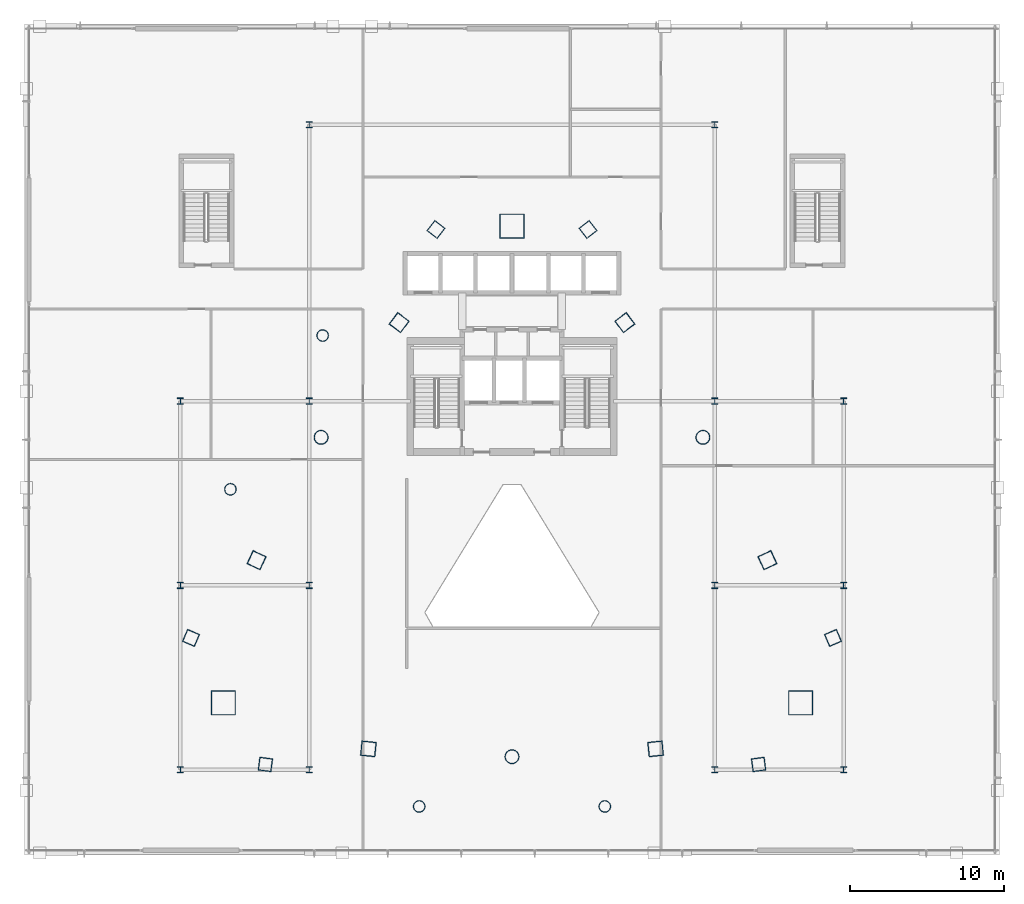
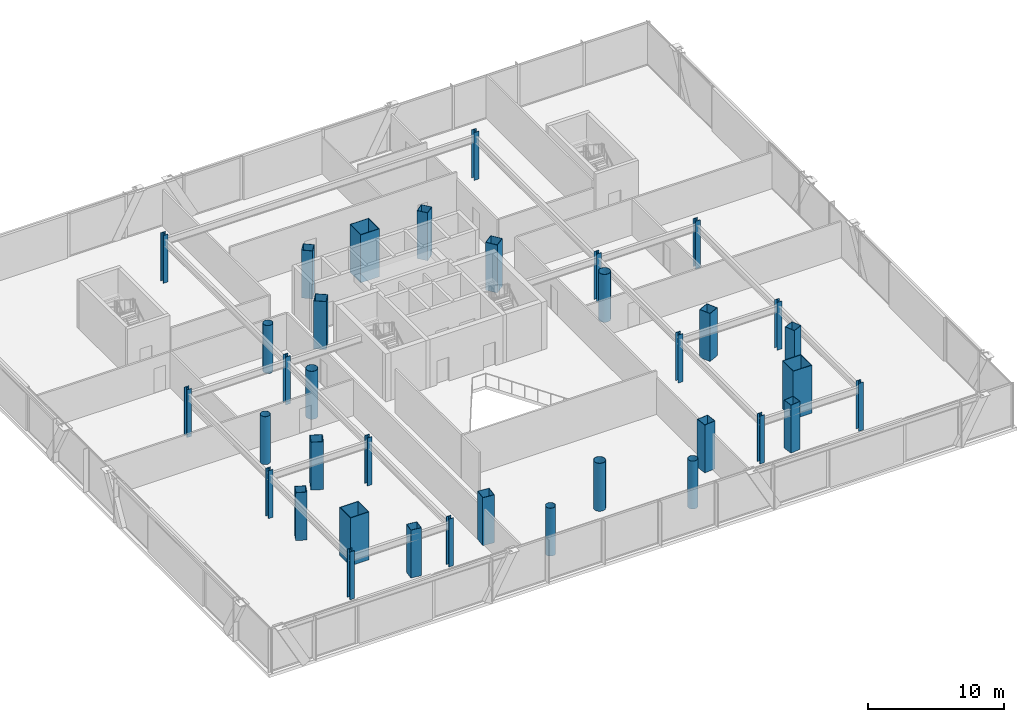
# One storey, part 1 of 46: 36 columns.
"""IFC4 building model written with IfcOpenShell, lengths in metres."""

from ifc_helpers import new_model, si_unit, direction, frame, origin, origin_2d, place, context, subcontext, project, spatial, hollow_rectangle, hollow_circle, i_section, extrude, material, material_profile, profile_set, type_object, element, save


model = new_model("IFC4")

# Units and contexts
model_context = context("Model", 3, precision=1e-05, world=origin(), true_north=direction((0.0, 1.0)))
body_context = subcontext(model_context, "Body", "Model", "MODEL_VIEW")
ifc_project = project(units=[si_unit("LENGTHUNIT", "METRE"), si_unit("AREAUNIT", "SQUARE_METRE"), si_unit("VOLUMEUNIT", "CUBIC_METRE"), si_unit("PLANEANGLEUNIT", "RADIAN"), si_unit("MASSUNIT", "GRAM", prefix="KILO")], contexts=[model_context])

# Site, building, storey
site_placement = place(None, origin())
site = spatial("IfcSite", under=ifc_project, at=site_placement, CompositionType="ELEMENT")
building_placement = place(site_placement, origin())
building = spatial("IfcBuilding", under=site, at=building_placement, Name="Orvanel Arch Residences", CompositionType="ELEMENT")
storey_placement = place(building_placement, frame((0.0, 0.0, 14.10009765625)))
storey = spatial("IfcBuildingStorey", under=building, at=storey_placement, Name="L03", CompositionType="ELEMENT", Elevation=14.10009765625)

# Columns
ifc_material_1 = material(Name="Structural steel AS/NZS 1163 C450L0 (Grade 450)", Category="steel")
ifc_material_profile_1 = material_profile(ifc_material_1, hollow_circle(Radius=0.381103515625, WallThickness=0.02197265625, at=origin_2d()), Name="CHS762x22")
ifc_profile_set_1 = profile_set([ifc_material_profile_1], Name="Structural steel AS/NZS 1163 C450L0 (Grade 450)")
column_type_1 = type_object("IfcColumnType", Name="CC-762", PredefinedType="COLUMN", material=ifc_profile_set_1)
for number, where, z_axis, x_axis, name in (
    (1, (20.669921875, 34.27099609375, 0.0), (0.0, 0.0, 1.0), (1.0, 0.0, 0.0), "L03 Low-Rise Buttress Tube Column 01"),
    (2, (14.662109375, 24.256103515625, 0.0), (0.0, 0.0, 1.0), (1.0, 0.0, 0.0), "L03 Low-Rise Buttress Tube Column 02"),
    (3, (26.9580078125, 3.60498046875, 0.0), (0.0, 0.0, 1.0), (1.0, 0.0, 0.0), "L03 Low-Rise Buttress Tube Column 03"),
    (4, (39.0419921875, 3.60498046875, 0.0), (0.0, 0.0, 1.0), (1.0, 0.0, 0.0), "L03 Low-Rise Buttress Tube Column 04"),
):
    element("IfcColumn", number, at=place(storey_placement, frame(where, z_axis=z_axis, x_axis=x_axis)), inside=storey, type_object=column_type_1, Name=name, PredefinedType="COLUMN", context=body_context, shape_type="SweptSolid", body=[
        extrude(hollow_circle(Radius=0.381103515625, WallThickness=0.02197265625, at=origin_2d()), origin(), (0.0, 0.0, 1.0), 4.2998046875),
    ])
ifc_material_profile_2 = material_profile(ifc_material_1, hollow_circle(Radius=0.45703125, WallThickness=0.02490234375, at=origin_2d()), Name="CHS914x25")
ifc_profile_set_2 = profile_set([ifc_material_profile_2], Name="Structural steel AS/NZS 1163 C450L0 (Grade 450)")
column_type_2 = type_object("IfcColumnType", Name="CC-914", PredefinedType="COLUMN", material=ifc_profile_set_2)
for number, where, z_axis, x_axis, name in (
    (5, (20.569091796875, 27.64111328125, 0.0), (0.0, 0.0, 1.0), (1.0, 0.0, 0.0), "L03 High-Rise Tube Column 02"),
    (6, (33.0, 6.843994140625, 0.0), (0.0, 0.0, 1.0), (1.0, 0.0, 0.0), "L03 High-Rise Tube Column 05"),
    (7, (45.430908203125, 27.64111328125, 0.0), (0.0, 0.0, 1.0), (1.0, 0.0, 0.0), "L03 High-Rise Tube Column 08"),
):
    element("IfcColumn", number, at=place(storey_placement, frame(where, z_axis=z_axis, x_axis=x_axis)), inside=storey, type_object=column_type_2, Name=name, PredefinedType="COLUMN", context=body_context, shape_type="SweptSolid", body=[
        extrude(hollow_circle(Radius=0.45703125, WallThickness=0.02490234375, at=origin_2d()), origin(), (0.0, 0.0, 1.0), 4.2998046875),
    ])
ifc_material_2 = material(Name="Structural steel AS/NZS 3678 Grade 450", Category="steel")
ifc_material_profile_3 = material_profile(ifc_material_2, hollow_rectangle(XDim=1.60009765625, YDim=1.60009765625, WallThickness=0.050048828125, at=origin_2d()), Name="BOX1600x1600x50")
ifc_profile_set_3 = profile_set([ifc_material_profile_3], Name="Structural steel AS/NZS 3678 Grade 450")
column_type_3 = type_object("IfcColumnType", Name="MC-1600", PredefinedType="COLUMN", material=ifc_profile_set_3)
for number, where, z_axis, x_axis, name in (
    (8, (33.0, 41.39794921875, 0.0), (0.0, 0.0, 1.0), (1.0, 0.0, 0.0), "L03 Corner Composite Mega-Column 1"),
    (9, (14.198974609375, 10.35107421875, 0.0), (0.0, 0.0, 1.0), (1.0, 0.0, 0.0), "L03 Corner Composite Mega-Column 2"),
    (10, (51.801025390625, 10.35107421875, 0.0), (0.0, 0.0, 1.0), (1.0, 0.0, 0.0), "L03 Corner Composite Mega-Column 3"),
):
    element("IfcColumn", number, at=place(storey_placement, frame(where, z_axis=z_axis, x_axis=x_axis)), inside=storey, type_object=column_type_3, Name=name, PredefinedType="COLUMN", context=body_context, shape_type="SweptSolid", body=[
        extrude(hollow_rectangle(XDim=1.60009765625, YDim=1.60009765625, WallThickness=0.050048828125, at=origin_2d()), origin(), (0.0, 0.0, 1.0), 4.2998046875),
    ])
ifc_material_3 = material(Name="Structural steel AS/NZS 3679.1 Grade 300 (300 MPa)", Category="steel")
ifc_material_profile_4 = material_profile(ifc_material_3, i_section(OverallWidth=0.39990234375, OverallDepth=0.409912109375, WebThickness=0.02490234375, FlangeThickness=0.035888671875, at=origin_2d()), Name="400WC328")
ifc_profile_set_4 = profile_set([ifc_material_profile_4], Name="Structural steel AS/NZS 3679.1 Grade 300 (300 MPa)")
column_type_4 = type_object("IfcColumnType", Name="SC-400WC", PredefinedType="COLUMN", material=ifc_profile_set_4)
for number, where, z_axis, x_axis, name in (
    (11, (11.39990234375, 6.0, 0.0), (0.0, 0.0, 1.0), (1.0, 0.0, 0.0), "L03 Podium Grid Column 01"),
    (12, (11.39990234375, 18.0, 0.0), (0.0, 0.0, 1.0), (1.0, 0.0, 0.0), "L03 Podium Grid Column 02"),
    (13, (11.39990234375, 30.0, 0.0), (0.0, 0.0, 1.0), (1.0, 0.0, 0.0), "L03 Podium Grid Column 03"),
    (14, (19.800048828125, 6.0, 0.0), (0.0, 0.0, 1.0), (1.0, 0.0, 0.0), "L03 Podium Grid Column 04"),
    (15, (19.800048828125, 18.0, 0.0), (0.0, 0.0, 1.0), (1.0, 0.0, 0.0), "L03 Podium Grid Column 05"),
    (16, (19.800048828125, 30.0, 0.0), (0.0, 0.0, 1.0), (1.0, 0.0, 0.0), "L03 Podium Grid Column 06"),
    (17, (19.800048828125, 48.0, 0.0), (0.0, 0.0, 1.0), (1.0, 0.0, 0.0), "L03 Podium Grid Column 07"),
    (18, (46.199951171875, 6.0, 0.0), (0.0, 0.0, 1.0), (1.0, 0.0, 0.0), "L03 Podium Grid Column 08"),
    (19, (46.199951171875, 18.0, 0.0), (0.0, 0.0, 1.0), (1.0, 0.0, 0.0), "L03 Podium Grid Column 09"),
    (20, (46.199951171875, 30.0, 0.0), (0.0, 0.0, 1.0), (1.0, 0.0, 0.0), "L03 Podium Grid Column 10"),
    (21, (46.199951171875, 48.0, 0.0), (0.0, 0.0, 1.0), (1.0, 0.0, 0.0), "L03 Podium Grid Column 11"),
    (22, (54.60009765625, 6.0, 0.0), (0.0, 0.0, 1.0), (1.0, 0.0, 0.0), "L03 Podium Grid Column 12"),
    (23, (54.60009765625, 18.0, 0.0), (0.0, 0.0, 1.0), (1.0, 0.0, 0.0), "L03 Podium Grid Column 13"),
    (24, (54.60009765625, 30.0, 0.0), (0.0, 0.0, 1.0), (1.0, 0.0, 0.0), "L03 Podium Grid Column 14"),
):
    element("IfcColumn", number, at=place(storey_placement, frame(where, z_axis=z_axis, x_axis=x_axis)), inside=storey, type_object=column_type_4, Name=name, PredefinedType="COLUMN", context=body_context, shape_type="SweptSolid", body=[
        extrude(i_section(OverallWidth=0.39990234375, OverallDepth=0.409912109375, WebThickness=0.02490234375, FlangeThickness=0.035888671875, at=origin_2d()), origin(), (0.0, 0.0, 1.0), 4.2998046875),
    ])
ifc_material_4 = material(Name="Structural steel AS/NZS 3678 Grade 350", Category="steel")
ifc_material_profile_5 = material_profile(ifc_material_4, hollow_rectangle(XDim=0.85009765625, YDim=0.85009765625, WallThickness=0.028076171875, at=origin_2d()), Name="BOX850x850x28")
ifc_profile_set_5 = profile_set([ifc_material_profile_5], Name="Structural steel AS/NZS 3678 Grade 350")
column_type_5 = type_object("IfcColumnType", Name="TC-850", PredefinedType="COLUMN", material=ifc_profile_set_5)
for number, where, z_axis, x_axis, name in (
    (25, (28.050048828125, 41.177978515625, 0.0), (0.0, 0.0, 1.0), (0.623879596709, 0.781520472419, 0.0), "L03 Mid-Rise Buttress Tube Column 01"),
    (26, (12.094970703125, 14.580078125, 0.0), (0.0, 0.0, 1.0), (0.397147890635, 0.917754625684, 0.0), "L03 Mid-Rise Buttress Tube Column 02"),
    (27, (16.94091796875, 6.339111328125, 0.0), (0.0, 0.0, 1.0), (-0.99189444259, 0.127064608601, 0.0), "L03 Mid-Rise Buttress Tube Column 03"),
    (28, (49.05908203125, 6.339111328125, 0.0), (0.0, 0.0, 1.0), (0.99189444259, 0.127064608601, 0.0), "L03 Mid-Rise Buttress Tube Column 04"),
    (29, (53.905029296875, 14.580078125, 0.0), (0.0, 0.0, 1.0), (-0.397147890635, 0.917754625684, 0.0), "L03 Mid-Rise Buttress Tube Column 05"),
    (30, (37.949951171875, 41.177978515625, 0.0), (0.0, 0.0, 1.0), (-0.623879596709, 0.781520472419, 0.0), "L03 Mid-Rise Buttress Tube Column 06"),
):
    element("IfcColumn", number, at=place(storey_placement, frame(where, z_axis=z_axis, x_axis=x_axis)), inside=storey, type_object=column_type_5, Name=name, PredefinedType="COLUMN", context=body_context, shape_type="SweptSolid", body=[
        extrude(hollow_rectangle(XDim=0.85009765625, YDim=0.85009765625, WallThickness=0.028076171875, at=origin_2d()), origin(), (0.0, 0.0, 1.0), 4.2998046875),
    ])
ifc_material_profile_6 = material_profile(ifc_material_4, hollow_rectangle(XDim=0.949951171875, YDim=0.949951171875, WallThickness=0.031982421875, at=origin_2d()), Name="BOX950x950x32")
ifc_profile_set_6 = profile_set([ifc_material_profile_6], Name="Structural steel AS/NZS 3678 Grade 350")
column_type_6 = type_object("IfcColumnType", Name="TC-950", PredefinedType="COLUMN", material=ifc_profile_set_6)
for number, where, z_axis, x_axis, name in (
    (31, (25.64794921875, 35.113037109375, 0.0), (0.0, 0.0, 1.0), (0.600420225326, 0.799684658487, 0.0), "L03 High-Rise Tube Column 01"),
    (32, (16.366943359375, 19.64208984375, 0.0), (0.0, 0.0, 1.0), (0.422618261741, 0.906307787037, 0.0), "L03 High-Rise Tube Column 03"),
    (33, (23.64892578125, 7.35498046875, 0.0), (0.0, 0.0, 1.0), (-0.994880708829, 0.101056297183, 0.0), "L03 High-Rise Tube Column 04"),
    (34, (42.35107421875, 7.35498046875, 0.0), (0.0, 0.0, 1.0), (0.994880708829, 0.101056297183, 0.0), "L03 High-Rise Tube Column 06"),
    (35, (49.633056640625, 19.64208984375, 0.0), (0.0, 0.0, 1.0), (-0.422618261741, 0.906307787037, 0.0), "L03 High-Rise Tube Column 07"),
    (36, (40.35205078125, 35.113037109375, 0.0), (0.0, 0.0, 1.0), (-0.600420225326, 0.799684658487, 0.0), "L03 High-Rise Tube Column 09"),
):
    element("IfcColumn", number, at=place(storey_placement, frame(where, z_axis=z_axis, x_axis=x_axis)), inside=storey, type_object=column_type_6, Name=name, PredefinedType="COLUMN", context=body_context, shape_type="SweptSolid", body=[
        extrude(hollow_rectangle(XDim=0.949951171875, YDim=0.949951171875, WallThickness=0.031982421875, at=origin_2d()), origin(), (0.0, 0.0, 1.0), 4.2998046875),
    ])

save(model, "model.ifc")
